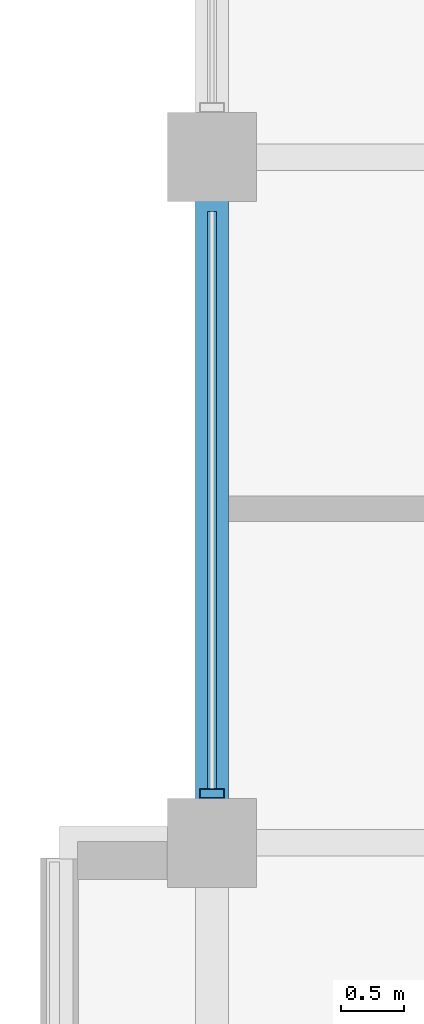
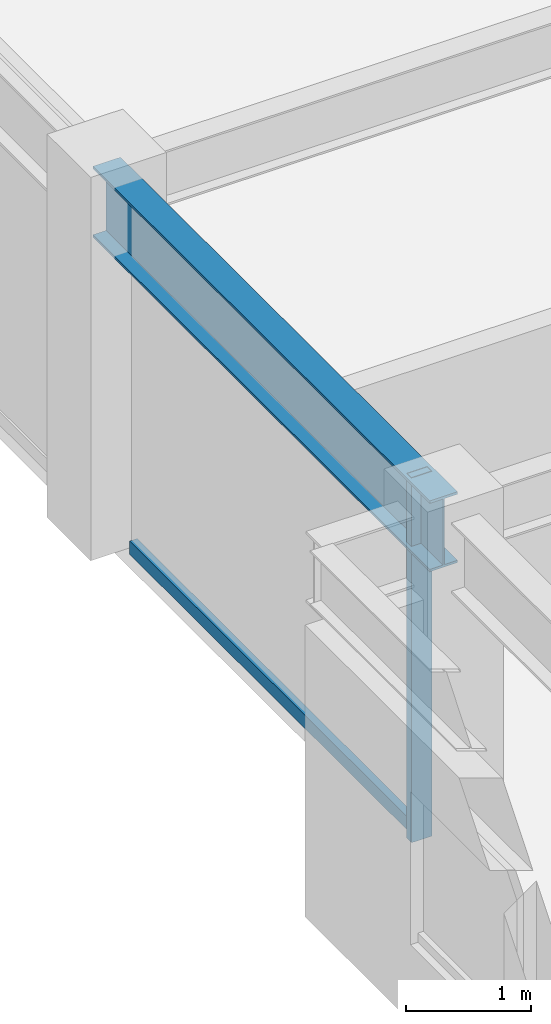
# One storey, part 8 of 29: 2 members, 1 beam, 1 element without a shape of its own.
"""IFC4 building model written with IfcOpenShell, lengths in metres."""

from ifc_helpers import new_model, si_unit, direction, frame, origin, origin_2d, place, context, subcontext, project, spatial, hollow_rectangle, i_section, extrude, material, layer, layer_set, material_profile, profile_set, type_object, element, aggregate, save


model = new_model("IFC4")

# Units and contexts
model_context = context("Model", 3, precision=1e-05, world=origin(), true_north=direction((0.0, 1.0)))
body_context = subcontext(model_context, "Body", "Model", "MODEL_VIEW")
ifc_project = project(units=[si_unit("LENGTHUNIT", "METRE"), si_unit("AREAUNIT", "SQUARE_METRE"), si_unit("VOLUMEUNIT", "CUBIC_METRE"), si_unit("PLANEANGLEUNIT", "RADIAN"), si_unit("MASSUNIT", "GRAM", prefix="KILO")], contexts=[model_context])

# Site, building, storey
site_placement = place(None, origin())
site = spatial("IfcSite", under=ifc_project, at=site_placement, CompositionType="ELEMENT")
building_placement = place(site_placement, origin())
building = spatial("IfcBuilding", under=site, at=building_placement, Name="Surkhivell Harbour Commons", CompositionType="ELEMENT")
storey_placement = place(building_placement, frame((0.0, 0.0, 277.5)))
storey = spatial("IfcBuildingStorey", under=building, at=storey_placement, Name="L72", CompositionType="ELEMENT", Elevation=277.5)

# Beam
ifc_material_1 = material(Name="Steel S355", Category="steel")
ifc_material_profile_1 = material_profile(ifc_material_1, i_section(OverallWidth=0.256103515625, OverallDepth=0.693115234375, WebThickness=0.014404296875, FlangeThickness=0.023681640625, at=origin_2d()), Name="UB686x254x170")
ifc_profile_set_1 = profile_set([ifc_material_profile_1], Name="Steel S355")
beam_type = type_object("IfcBeamType", Name="BM-SPN-686", PredefinedType="SPANDREL", material=ifc_profile_set_1)
beam_placement = place(storey_placement, frame((-27.0, 5.39990234375, 3.223388671875), z_axis=(0.0, 1.0, 0.0), x_axis=(-1.0, 0.0, 0.0)))
element("IfcBeam", 1, at=beam_placement, inside=storey, type_object=beam_type, Name="L72 Tube Spandrel (-27.0,5.4)", PredefinedType="SPANDREL", context=body_context, shape_type="SweptSolid", body=[
    extrude(i_section(OverallWidth=0.256103515625, OverallDepth=0.693115234375, WebThickness=0.014404296875, FlangeThickness=0.023681640625, at=origin_2d()), origin(), (0.0, 0.0, 1.0), 5.400146484375),
])

# Curtain wall, members
ifc_material_2 = material(Name="Anodised pale-metal aluminium and insulated glazing", Category="aluminium")
ifc_layer = layer(ifc_material_2, 0.175048828125)
ifc_layer_set = layer_set([ifc_layer], Name="Anodised pale-metal aluminium and insulated glazing")
curtain_wall_type = type_object("IfcCurtainWallType", Name="CW-SYS-Z4", PredefinedType="NOTDEFINED", material=ifc_layer_set)
curtain_wall_placement = place(storey_placement, origin())
curtain_wall = element("IfcCurtainWall", 2, at=curtain_wall_placement, inside=storey, type_object=curtain_wall_type, Name="L72 Curtain Wall CW-L72-E12R2", PredefinedType="NOTDEFINED")
ifc_material_3 = material(Name="Anodised pale-metal aluminium alloy 6063-T6", Category="aluminium")
ifc_material_profile_2 = material_profile(ifc_material_3, hollow_rectangle(XDim=0.074951171875, YDim=0.18994140625, WallThickness=0.00390625, at=origin_2d()), Name="ALU-MULL-75x190")
ifc_profile_set_2 = profile_set([ifc_material_profile_2], Name="Anodised pale-metal aluminium alloy 6063-T6")
member_type_1 = type_object("IfcMemberType", Name="CWM-190", PredefinedType="MULLION", material=ifc_profile_set_2)
member_1_placement = place(storey_placement, frame((-27.0, 5.78955078125, 0.0), z_axis=(0.0, 0.0, 1.0), x_axis=(0.0, 1.0, 0.0)))
member_1 = element("IfcMember", 3, at=member_1_placement, type_object=member_type_1, Name="CW-Z4 mullion 1", PredefinedType="MULLION", context=body_context, shape_type="SweptSolid", body=[
    extrude(hollow_rectangle(XDim=0.074951171875, YDim=0.18994140625, WallThickness=0.00390625, at=origin_2d()), origin(), (0.0, 0.0, 1.0), 3.570068359375),
])
ifc_material_4 = material(Name="Champagne anodised aluminium alloy 6063-T6", Category="aluminium")
ifc_material_profile_3 = material_profile(ifc_material_4, hollow_rectangle(XDim=0.070068359375, YDim=0.1298828125, WallThickness=0.00341796875, at=origin_2d()), Name="ALU-TRAN-70x130")
ifc_profile_set_3 = profile_set([ifc_material_profile_3], Name="Champagne anodised aluminium alloy 6063-T6")
member_type_2 = type_object("IfcMemberType", Name="CWT-130", PredefinedType="USERDEFINED", material=ifc_profile_set_3)
member_2_placement = place(storey_placement, frame((-27.0, 5.826904296875, 0.06494140625), z_axis=(0.0, 1.0, 0.0), x_axis=(-1.0, 0.0, 0.0)))
member_2 = element("IfcMember", 4, at=member_2_placement, type_object=member_type_2, Name="CW-Z4 transom 1.1", ObjectType="TRANSOM", PredefinedType="USERDEFINED", context=body_context, shape_type="SweptSolid", body=[
    extrude(hollow_rectangle(XDim=0.070068359375, YDim=0.1298828125, WallThickness=0.00341796875, at=origin_2d()), origin(), (0.0, 0.0, 1.0), 4.546142578125),
])
aggregate(curtain_wall, [member_1, member_2])

save(model, "model.ifc")
